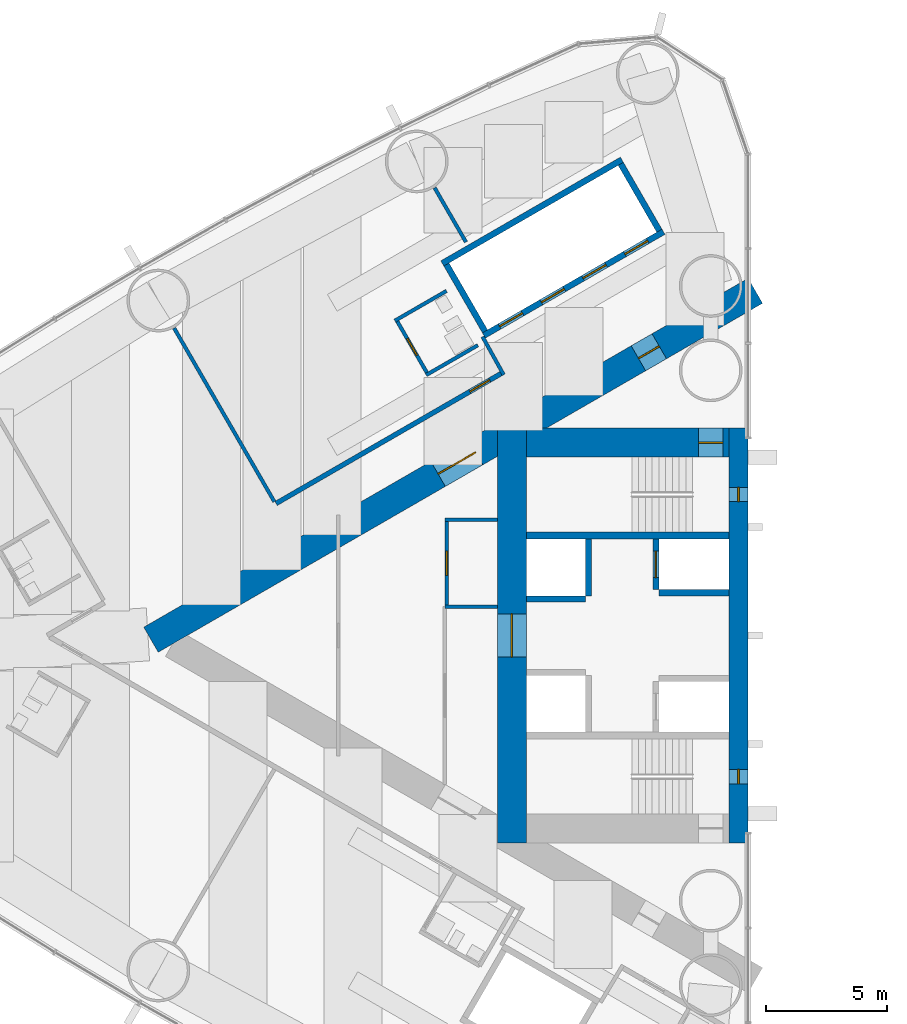
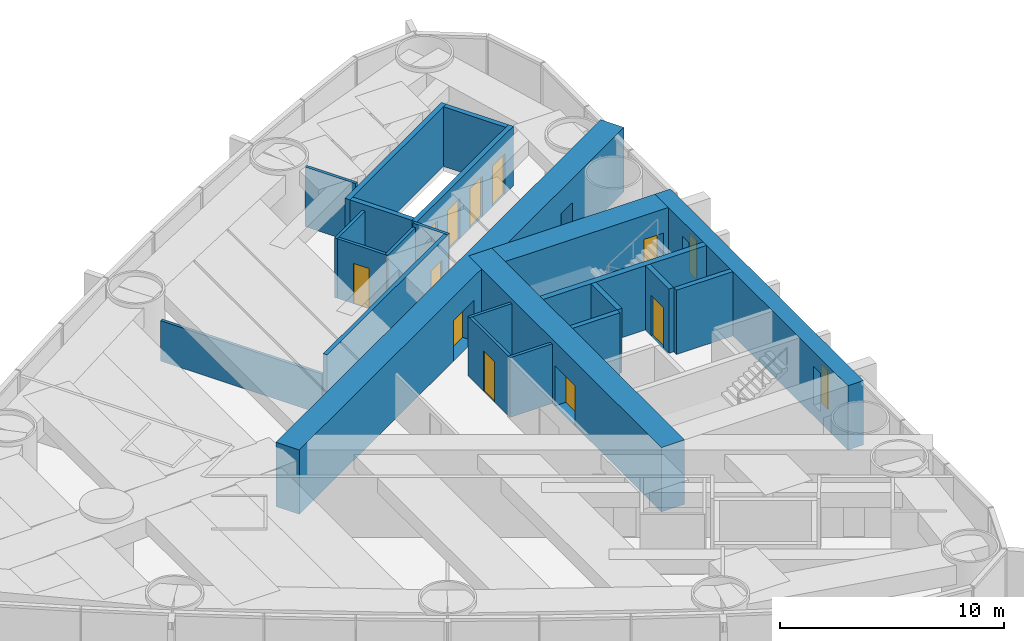
# One storey, part 12 of 18: 23 walls, 12 doors, 2 windows, 14 openings.
"""IFC4 building model written with IfcOpenShell, lengths in metres."""

from ifc_helpers import new_model, si_unit, direction, frame, frame_2d, origin, place, context, subcontext, project, spatial, rectangle, extrude, material, layer, layer_set, type_object, element, fill, save


model = new_model("IFC4")

# Units and contexts
model_context = context("Model", 3, precision=1e-05, world=origin(), true_north=direction((0.0, 1.0)))
body_context = subcontext(model_context, "Body", "Model", "MODEL_VIEW")
ifc_project = project(units=[si_unit("LENGTHUNIT", "METRE"), si_unit("AREAUNIT", "SQUARE_METRE"), si_unit("VOLUMEUNIT", "CUBIC_METRE"), si_unit("PLANEANGLEUNIT", "RADIAN"), si_unit("MASSUNIT", "GRAM", prefix="KILO")], contexts=[model_context])

# Site, building, storey
site_placement = place(None, origin())
site = spatial("IfcSite", under=ifc_project, at=site_placement, CompositionType="ELEMENT")
building_placement = place(site_placement, origin())
building = spatial("IfcBuilding", under=site, at=building_placement, Name="Lancet Gate Hotel", CompositionType="ELEMENT")
storey_placement = place(building_placement, frame((0.0, 0.0, 108.10009765625)))
storey = spatial("IfcBuildingStorey", under=building, at=storey_placement, Name="L28", CompositionType="ELEMENT", Elevation=108.10009765625)

# Wall
ifc_material_1 = material(Name="Moisture resistant board partition")
ifc_layer_1 = layer(ifc_material_1, 0.14990234375)
ifc_layer_set_1 = layer_set([ifc_layer_1], Name="Bathroom wall 150")
wall_type_1 = type_object("IfcWallType", Name="Bathroom wall 150", PredefinedType="PARTITIONING", material=ifc_layer_set_1)
wall_1_placement = place(storey_placement, frame((-40.009765625, 14.294189453125, 0.0), z_axis=(0.0, 0.0, 1.0), x_axis=(-0.866031185235, -0.4999899861, 0.0)))
element("IfcWall", 1, at=wall_1_placement, inside=storey, type_object=wall_type_1, Name="T1 bathroom wall 150 L28", PredefinedType="PARTITIONING", context=body_context, shape_type="SweptSolid", body=[
    extrude(rectangle(XDim=2.47509765625, YDim=0.14990234375, at=frame_2d((1.237548828125, 0.0))), origin(), (0.0, 0.0, 1.0), 3.25),
])

# Wall, opening, door
wall_2_placement = place(storey_placement, frame((-40.788330078125, 10.842529296875, 0.0), z_axis=(0.0, 0.0, 1.0), x_axis=(-0.500006934395, 0.866021400173, 0.0)))
wall_2 = element("IfcWall", 2, at=wall_2_placement, inside=storey, type_object=wall_type_1, Name="T1 bathroom wall 150 L28", PredefinedType="PARTITIONING", context=body_context, shape_type="SweptSolid", body=[
    extrude(rectangle(XDim=2.60009765625, YDim=0.14990234375, at=frame_2d((1.300048828125, 0.0))), origin(), (0.0, 0.0, 1.0), 3.25),
])
opening_1_placement = place(wall_2_placement, frame((0.89990234375, 0.0, 0.0)))
opening_1 = element("IfcOpeningElement", 3, at=opening_1_placement, cuts=wall_2, Name="Opening 2802-B", PredefinedType="OPENING", context=body_context, shape_type="SweptSolid", body=[
    extrude(rectangle(XDim=0.800048828125, YDim=2.199951171875, at=frame_2d((0.39990234375, 1.10009765625))), frame((0.0, 0.0849609375, 0.0), z_axis=(0.0, -1.0, 0.0), x_axis=(1.0, 0.0, 0.0)), (0.0, 0.0, 1.0), 0.169921875),
])
ifc_material_2 = material(Name="Timber door set", Category="wood")
door_type_1 = type_object("IfcDoorType", Name="Bathroom door 800", OperationType="SINGLE_SWING_RIGHT", PredefinedType="DOOR", material=ifc_material_2)
door_1_placement = place(opening_1_placement, origin())
door_1 = element("IfcDoor", 4, at=door_1_placement, inside=storey, type_object=door_type_1, Name="2802-B", OperationType="SINGLE_SWING_RIGHT", OverallHeight=2.199951171875, OverallWidth=0.800048828125, PredefinedType="DOOR", context=body_context, shape_type="SweptSolid", body=[
    extrude(rectangle(XDim=0.800048828125, YDim=2.199951171875, at=frame_2d((0.39990234375, 1.10009765625))), frame((0.0, 0.02490234375, 0.0), z_axis=(0.0, -1.0, 0.0), x_axis=(1.0, 0.0, 0.0)), (0.0, 0.0, 1.0), 0.050048828125),
])
fill(opening_1, door_1)

# Wall
wall_3_placement = place(storey_placement, frame((-38.7099609375, 12.04248046875, 0.0), z_axis=(0.0, 0.0, 1.0), x_axis=(-0.86604923931, -0.499958713387, 0.0)))
element("IfcWall", 5, at=wall_3_placement, inside=storey, type_object=wall_type_1, Name="T1 bathroom wall 150 L28", PredefinedType="PARTITIONING", context=body_context, shape_type="SweptSolid", body=[
    extrude(rectangle(XDim=2.474853515625, YDim=0.14990234375, at=frame_2d((1.2373046875, 0.0))), origin(), (0.0, 0.0, 1.0), 3.25),
])

# Wall, openings, doors
ifc_material_3 = material(Name="Concrete C70/85", Category="concrete")
ifc_layer_2 = layer(ifc_material_3, 1.199951171875)
ifc_layer_set_2 = layer_set([ifc_layer_2], Name="Buttress wall 1200")
wall_type_2 = type_object("IfcWallType", Name="Buttress wall 1200", PredefinedType="SHEAR", material=ifc_layer_set_2)
wall_4_placement = place(storey_placement, frame((-27.199951171875, 14.300048828125, 0.0), z_axis=(0.0, 0.0, 1.0), x_axis=(-0.866026593062, -0.499997940104, 0.0)))
wall_4 = element("IfcWall", 6, at=wall_4_placement, inside=storey, type_object=wall_type_2, Name="T1 buttress wall S L28", PredefinedType="SHEAR", context=body_context, shape_type="SweptSolid", body=[
    extrude(rectangle(XDim=28.9462890625, YDim=1.199951171875, at=frame_2d((14.47314453125, 0.0))), origin(), (0.0, 0.0, 1.0), 3.5),
])
opening_2_placement = place(wall_4_placement, frame((4.60009765625, 0.0, 0.0)))
opening_2 = element("IfcOpeningElement", 7, at=opening_2_placement, cuts=wall_4, Name="Opening T1-L28-LS", PredefinedType="OPENING", context=body_context, shape_type="SweptSolid", body=[
    extrude(rectangle(XDim=1.0, YDim=2.199951171875, at=frame_2d((0.5, 1.10009765625))), frame((0.0, 0.60986328125, 0.0), z_axis=(0.0, -1.0, 0.0), x_axis=(1.0, 0.0, 0.0)), (0.0, 0.0, 1.0), 1.219970703125),
])
opening_3_placement = place(wall_4_placement, frame((13.39453125, 0.0, 0.0)))
opening_3 = element("IfcOpeningElement", 8, at=opening_3_placement, cuts=wall_4, Name="Opening T1-L28-LHS", PredefinedType="OPENING", context=body_context, shape_type="SweptSolid", body=[
    extrude(rectangle(XDim=1.800048828125, YDim=2.199951171875, at=frame_2d((0.89990234375, 1.10009765625))), frame((0.0, 0.60986328125, 0.0), z_axis=(0.0, -1.0, 0.0), x_axis=(1.0, 0.0, 0.0)), (0.0, 0.0, 1.0), 1.219970703125),
])
ifc_material_4 = material(Name="Timber door set", Category="wood")
door_type_2 = type_object("IfcDoorType", Name="Lobby double door 1800", OperationType="DOUBLE_DOOR_SINGLE_SWING", PredefinedType="DOOR", material=ifc_material_4)
door_2_placement = place(opening_3_placement, origin())
door_2 = element("IfcDoor", 9, at=door_2_placement, inside=storey, type_object=door_type_2, Name="T1-L28-LHS", OperationType="DOUBLE_DOOR_SINGLE_SWING", OverallHeight=2.199951171875, OverallWidth=1.800048828125, PredefinedType="DOOR", context=body_context, shape_type="SweptSolid", body=[
    extrude(rectangle(XDim=1.800048828125, YDim=2.199951171875, at=frame_2d((0.89990234375, 1.10009765625))), frame((0.0, 0.02490234375, 0.0), z_axis=(0.0, -1.0, 0.0), x_axis=(1.0, 0.0, 0.0)), (0.0, 0.0, 1.0), 0.050048828125),
])
fill(opening_3, door_2)
ifc_material_5 = material(Name="Timber door set", Category="wood")
door_type_3 = type_object("IfcDoorType", Name="Stair lobby door 1000", OperationType="SINGLE_SWING_LEFT", PredefinedType="DOOR", material=ifc_material_5)
door_3_placement = place(opening_2_placement, origin())
door_3 = element("IfcDoor", 10, at=door_3_placement, inside=storey, type_object=door_type_3, Name="T1-L28-LS", OperationType="SINGLE_SWING_LEFT", OverallHeight=2.199951171875, OverallWidth=1.0, PredefinedType="DOOR", context=body_context, shape_type="SweptSolid", body=[
    extrude(rectangle(XDim=1.0, YDim=2.199951171875, at=frame_2d((0.5, 1.10009765625))), frame((0.0, 0.02490234375, 0.0), z_axis=(0.0, -1.0, 0.0), x_axis=(1.0, 0.0, 0.0)), (0.0, 0.0, 1.0), 0.050048828125),
])
fill(opening_2, door_3)

# Wall, opening, door
ifc_material_6 = material(Name="Concrete C70/85", Category="concrete")
ifc_layer_3 = layer(ifc_material_6, 1.199951171875)
ifc_layer_set_3 = layer_set([ifc_layer_3], Name="Core wall 1200")
wall_type_3 = type_object("IfcWallType", Name="Core wall 1200", PredefinedType="SHEAR", material=ifc_layer_set_3)
wall_5_placement = place(storey_placement, frame((-37.300048828125, 8.60009765625, 0.0), z_axis=(0.0, 0.0, 1.0), x_axis=(0.0, -1.0, 0.0)))
wall_5 = element("IfcWall", 11, at=wall_5_placement, inside=storey, type_object=wall_type_3, Name="T1 core wall back L28", PredefinedType="SHEAR", context=body_context, shape_type="SweptSolid", body=[
    extrude(rectangle(XDim=17.2001953125, YDim=1.199951171875, at=frame_2d((8.60009765625, 0.0))), origin(), (0.0, 0.0, 1.0), 3.5),
])
opening_4_placement = place(wall_5_placement, frame((7.699951171875, 0.0, 0.0)))
opening_4 = element("IfcOpeningElement", 12, at=opening_4_placement, cuts=wall_5, Name="Opening T1-L28-LL", PredefinedType="OPENING", context=body_context, shape_type="SweptSolid", body=[
    extrude(rectangle(XDim=1.800048828125, YDim=2.199951171875, at=frame_2d((0.89990234375, 1.10009765625))), frame((0.0, 0.60986328125, 0.0), z_axis=(0.0, -1.0, 0.0), x_axis=(1.0, 0.0, 0.0)), (0.0, 0.0, 1.0), 1.219970703125),
])
door_4_placement = place(opening_4_placement, origin())
door_4 = element("IfcDoor", 13, at=door_4_placement, inside=storey, type_object=door_type_2, Name="T1-L28-LL", OperationType="DOUBLE_DOOR_SINGLE_SWING", OverallHeight=2.199951171875, OverallWidth=1.800048828125, PredefinedType="DOOR", context=body_context, shape_type="SweptSolid", body=[
    extrude(rectangle(XDim=1.800048828125, YDim=2.199951171875, at=frame_2d((0.89990234375, 1.10009765625))), frame((0.0, 0.02490234375, 0.0), z_axis=(0.0, -1.0, 0.0), x_axis=(1.0, 0.0, 0.0)), (0.0, 0.0, 1.0), 0.050048828125),
])
fill(opening_4, door_4)

wall_6_placement = place(storey_placement, frame((-28.300048828125, 8.0, 0.0), z_axis=(0.0, 0.0, 1.0), x_axis=(-1.0, 0.0, 0.0)))
wall_6 = element("IfcWall", 14, at=wall_6_placement, inside=storey, type_object=wall_type_3, Name="T1 core wall side-S L28", PredefinedType="SHEAR", context=body_context, shape_type="SweptSolid", body=[
    extrude(rectangle(XDim=8.39990234375, YDim=1.199951171875, at=frame_2d((4.199951171875, 0.0))), origin(), (0.0, 0.0, 1.0), 3.5),
])
opening_5_placement = place(wall_6_placement, frame((0.25, 0.0, 0.0)))
opening_5 = element("IfcOpeningElement", 15, at=opening_5_placement, cuts=wall_6, Name="Opening T1-L28-ST1", PredefinedType="OPENING", context=body_context, shape_type="SweptSolid", body=[
    extrude(rectangle(XDim=1.0, YDim=2.199951171875, at=frame_2d((0.5, 1.10009765625))), frame((0.0, 0.60986328125, 0.0), z_axis=(0.0, -1.0, 0.0), x_axis=(1.0, 0.0, 0.0)), (0.0, 0.0, 1.0), 1.219970703125),
])
ifc_material_7 = material(Name="Timber door set", Category="wood")
door_type_4 = type_object("IfcDoorType", Name="Stair door 1000", OperationType="SINGLE_SWING_RIGHT", PredefinedType="DOOR", material=ifc_material_7)
door_5_placement = place(opening_5_placement, origin())
door_5 = element("IfcDoor", 16, at=door_5_placement, inside=storey, type_object=door_type_4, Name="T1-L28-ST1", OperationType="SINGLE_SWING_RIGHT", OverallHeight=2.199951171875, OverallWidth=1.0, PredefinedType="DOOR", context=body_context, shape_type="SweptSolid", body=[
    extrude(rectangle(XDim=1.0, YDim=2.199951171875, at=frame_2d((0.5, 1.10009765625))), frame((0.0, 0.02490234375, 0.0), z_axis=(0.0, -1.0, 0.0), x_axis=(1.0, 0.0, 0.0)), (0.0, 0.0, 1.0), 0.050048828125),
])
fill(opening_5, door_5)

# Wall, openings, windows
ifc_material_8 = material(Name="Concrete C70/85", Category="concrete")
ifc_layer_4 = layer(ifc_material_8, 0.800048828125)
ifc_layer_set_4 = layer_set([ifc_layer_4], Name="Core wall 800")
wall_type_4 = type_object("IfcWallType", Name="Core wall 800", PredefinedType="SHEAR", material=ifc_layer_set_4)
wall_7_placement = place(storey_placement, frame((-27.89990234375, 8.60009765625, 0.0), z_axis=(0.0, 0.0, 1.0), x_axis=(0.0, -1.0, 0.0)))
wall_7 = element("IfcWall", 17, at=wall_7_placement, inside=storey, type_object=wall_type_4, Name="T1 core wall front L28", PredefinedType="SHEAR", context=body_context, shape_type="SweptSolid", body=[
    extrude(rectangle(XDim=17.2001953125, YDim=0.800048828125, at=frame_2d((8.60009765625, 0.0))), origin(), (0.0, 0.0, 1.0), 3.5),
])
opening_6_placement = place(wall_7_placement, frame((2.449951171875, 0.0, 0.60009765625)))
opening_6 = element("IfcOpeningElement", 18, at=opening_6_placement, cuts=wall_7, Name="Opening LW1", PredefinedType="OPENING", context=body_context, shape_type="SweptSolid", body=[
    extrude(rectangle(XDim=0.60009765625, YDim=2.10009765625, at=frame_2d((0.300048828125, 1.050048828125))), frame((0.0, 0.409912109375, 0.0), z_axis=(0.0, -1.0, 0.0), x_axis=(1.0, 0.0, 0.0)), (0.0, 0.0, 1.0), 0.820068359375),
])
opening_7_placement = place(wall_7_placement, frame((14.14990234375, 0.0, 0.60009765625)))
opening_7 = element("IfcOpeningElement", 19, at=opening_7_placement, cuts=wall_7, Name="Opening LW1", PredefinedType="OPENING", context=body_context, shape_type="SweptSolid", body=[
    extrude(rectangle(XDim=0.60009765625, YDim=2.10009765625, at=frame_2d((0.300048828125, 1.050048828125))), frame((0.0, 0.409912109375, 0.0), z_axis=(0.0, -1.0, 0.0), x_axis=(1.0, 0.0, 0.0)), (0.0, 0.0, 1.0), 0.820068359375),
])
ifc_material_9 = material(Name="Fire-resisting glazed steel window", Category="steel")
window_type = type_object("IfcWindowType", Name="Lancet window 600x2100", PartitioningType="SINGLE_PANEL", PredefinedType="WINDOW", material=ifc_material_9)
window_1_placement = place(opening_6_placement, origin())
window_1 = element("IfcWindow", 20, at=window_1_placement, inside=storey, type_object=window_type, Name="T1 stair window S L28", OverallHeight=2.10009765625, OverallWidth=0.60009765625, PartitioningType="SINGLE_PANEL", PredefinedType="WINDOW", context=body_context, shape_type="SweptSolid", body=[
    extrude(rectangle(XDim=0.60009765625, YDim=2.10009765625, at=frame_2d((0.300048828125, 1.050048828125))), frame((0.0, 0.030029296875, 0.0), z_axis=(0.0, -1.0, 0.0), x_axis=(1.0, 0.0, 0.0)), (0.0, 0.0, 1.0), 0.06005859375),
])
fill(opening_6, window_1)
window_2_placement = place(opening_7_placement, origin())
window_2 = element("IfcWindow", 21, at=window_2_placement, inside=storey, type_object=window_type, Name="T1 stair window N L28", OverallHeight=2.10009765625, OverallWidth=0.60009765625, PartitioningType="SINGLE_PANEL", PredefinedType="WINDOW", context=body_context, shape_type="SweptSolid", body=[
    extrude(rectangle(XDim=0.60009765625, YDim=2.10009765625, at=frame_2d((0.300048828125, 1.050048828125))), frame((0.0, 0.030029296875, 0.0), z_axis=(0.0, -1.0, 0.0), x_axis=(1.0, 0.0, 0.0)), (0.0, 0.0, 1.0), 0.06005859375),
])
fill(opening_7, window_2)

# Wall, opening, door
ifc_material_10 = material(Name="Gypsum board partition")
ifc_layer_5 = layer(ifc_material_10, 0.199951171875)
ifc_layer_set_5 = layer_set([ifc_layer_5], Name="Corridor wall 200")
wall_type_5 = type_object("IfcWallType", Name="Corridor wall 200", PredefinedType="PARTITIONING", material=ifc_layer_set_5)
wall_8_placement = place(storey_placement, frame((-37.699951171875, 10.8935546875, 0.0), z_axis=(0.0, 0.0, 1.0), x_axis=(-0.866027551079, -0.499996280759, 0.0)))
wall_8 = element("IfcWall", 22, at=wall_8_placement, inside=storey, type_object=wall_type_5, Name="T1 corridor wall 200 L28", PredefinedType="PARTITIONING", context=body_context, shape_type="SweptSolid", body=[
    extrude(rectangle(XDim=10.83056640625, YDim=0.199951171875, at=frame_2d((5.415283203125, 0.0))), origin(), (0.0, 0.0, 1.0), 3.25),
])
opening_8_placement = place(wall_8_placement, frame((0.60009765625, 0.0, 0.0)))
opening_8 = element("IfcOpeningElement", 23, at=opening_8_placement, cuts=wall_8, Name="Opening 2802-E", PredefinedType="OPENING", context=body_context, shape_type="SweptSolid", body=[
    extrude(rectangle(XDim=0.949951171875, YDim=2.199951171875, at=frame_2d((0.47509765625, 1.10009765625))), frame((0.0, 0.10986328125, 0.0), z_axis=(0.0, -1.0, 0.0), x_axis=(1.0, 0.0, 0.0)), (0.0, 0.0, 1.0), 0.219970703125),
])
ifc_material_11 = material(Name="Timber door set", Category="wood")
door_type_5 = type_object("IfcDoorType", Name="Guest room entry door 950", OperationType="SINGLE_SWING_LEFT", PredefinedType="DOOR", material=ifc_material_11)
door_6_placement = place(opening_8_placement, origin())
door_6 = element("IfcDoor", 24, at=door_6_placement, inside=storey, type_object=door_type_5, Name="2802-E", OperationType="SINGLE_SWING_LEFT", OverallHeight=2.199951171875, OverallWidth=0.949951171875, PredefinedType="DOOR", context=body_context, shape_type="SweptSolid", body=[
    extrude(rectangle(XDim=0.949951171875, YDim=2.199951171875, at=frame_2d((0.47509765625, 1.10009765625))), frame((0.0, 0.02490234375, 0.0), z_axis=(0.0, -1.0, 0.0), x_axis=(1.0, 0.0, 0.0)), (0.0, 0.0, 1.0), 0.050048828125),
])
fill(opening_8, door_6)

# Wall, openings, doors
ifc_material_12 = material(Name="Gypsum board partition")
ifc_layer_6 = layer(ifc_material_12, 0.25)
ifc_layer_set_6 = layer_set([ifc_layer_6], Name="Lift shaft partition 250")
wall_type_6 = type_object("IfcWallType", Name="Lift shaft partition 250", PredefinedType="PARTITIONING", material=ifc_layer_set_6)
wall_9_placement = place(storey_placement, frame((-31.010498046875, 16.747314453125, 0.0), z_axis=(0.0, 0.0, 1.0), x_axis=(-0.866028165386, -0.499995216735, 0.0)))
wall_9 = element("IfcWall", 25, at=wall_9_placement, inside=storey, type_object=wall_type_6, Name="T1 lift shaft wall LR L28", PredefinedType="PARTITIONING", context=body_context, shape_type="SweptSolid", body=[
    extrude(rectangle(XDim=8.60009765625, YDim=0.25, at=frame_2d((4.300048828125, 0.0))), origin(), (0.0, 0.0, 1.0), 3.25),
])
opening_9_placement = place(wall_9_placement, frame((0.75, 0.0, 0.0)))
opening_9 = element("IfcOpeningElement", 26, at=opening_9_placement, cuts=wall_9, Name="Opening T1-LR1-L28", PredefinedType="OPENING", context=body_context, shape_type="SweptSolid", body=[
    extrude(rectangle(XDim=1.10009765625, YDim=2.199951171875, at=frame_2d((0.550048828125, 1.10009765625))), frame((0.0, 0.135009765625, 0.0), z_axis=(0.0, -1.0, 0.0), x_axis=(1.0, 0.0, 0.0)), (0.0, 0.0, 1.0), 0.27001953125),
])
opening_10_placement = place(wall_9_placement, frame((2.75, 0.0, 0.0)))
opening_10 = element("IfcOpeningElement", 27, at=opening_10_placement, cuts=wall_9, Name="Opening T1-LR2-L28", PredefinedType="OPENING", context=body_context, shape_type="SweptSolid", body=[
    extrude(rectangle(XDim=1.10009765625, YDim=2.199951171875, at=frame_2d((0.550048828125, 1.10009765625))), frame((0.0, 0.135009765625, 0.0), z_axis=(0.0, -1.0, 0.0), x_axis=(1.0, 0.0, 0.0)), (0.0, 0.0, 1.0), 0.27001953125),
])
opening_11_placement = place(wall_9_placement, frame((4.75, 0.0, 0.0)))
opening_11 = element("IfcOpeningElement", 28, at=opening_11_placement, cuts=wall_9, Name="Opening T1-LR3-L28", PredefinedType="OPENING", context=body_context, shape_type="SweptSolid", body=[
    extrude(rectangle(XDim=1.10009765625, YDim=2.199951171875, at=frame_2d((0.550048828125, 1.10009765625))), frame((0.0, 0.135009765625, 0.0), z_axis=(0.0, -1.0, 0.0), x_axis=(1.0, 0.0, 0.0)), (0.0, 0.0, 1.0), 0.27001953125),
])
opening_12_placement = place(wall_9_placement, frame((6.75, 0.0, 0.0)))
opening_12 = element("IfcOpeningElement", 29, at=opening_12_placement, cuts=wall_9, Name="Opening T1-LR4-L28", PredefinedType="OPENING", context=body_context, shape_type="SweptSolid", body=[
    extrude(rectangle(XDim=1.10009765625, YDim=2.199951171875, at=frame_2d((0.550048828125, 1.10009765625))), frame((0.0, 0.135009765625, 0.0), z_axis=(0.0, -1.0, 0.0), x_axis=(1.0, 0.0, 0.0)), (0.0, 0.0, 1.0), 0.27001953125),
])
ifc_material_13 = material(Name="Steel door set", Category="steel")
door_type_6 = type_object("IfcDoorType", Name="Lift landing door 1100", OperationType="DOUBLE_DOOR_SLIDING", PredefinedType="USERDEFINED", material=ifc_material_13)
door_7_placement = place(opening_9_placement, origin())
door_7 = element("IfcDoor", 30, at=door_7_placement, inside=storey, type_object=door_type_6, Name="T1-LR1-L28", ObjectType="LIFT LANDING DOOR", OperationType="DOUBLE_DOOR_SLIDING", OverallHeight=2.199951171875, OverallWidth=1.10009765625, PredefinedType="USERDEFINED", context=body_context, shape_type="SweptSolid", body=[
    extrude(rectangle(XDim=1.10009765625, YDim=2.199951171875, at=frame_2d((0.550048828125, 1.10009765625))), frame((0.0, 0.02490234375, 0.0), z_axis=(0.0, -1.0, 0.0), x_axis=(1.0, 0.0, 0.0)), (0.0, 0.0, 1.0), 0.050048828125),
])
fill(opening_9, door_7)
door_8_placement = place(opening_10_placement, origin())
door_8 = element("IfcDoor", 31, at=door_8_placement, inside=storey, type_object=door_type_6, Name="T1-LR2-L28", ObjectType="LIFT LANDING DOOR", OperationType="DOUBLE_DOOR_SLIDING", OverallHeight=2.199951171875, OverallWidth=1.10009765625, PredefinedType="USERDEFINED", context=body_context, shape_type="SweptSolid", body=[
    extrude(rectangle(XDim=1.10009765625, YDim=2.199951171875, at=frame_2d((0.550048828125, 1.10009765625))), frame((0.0, 0.02490234375, 0.0), z_axis=(0.0, -1.0, 0.0), x_axis=(1.0, 0.0, 0.0)), (0.0, 0.0, 1.0), 0.050048828125),
])
fill(opening_10, door_8)
door_9_placement = place(opening_11_placement, origin())
door_9 = element("IfcDoor", 32, at=door_9_placement, inside=storey, type_object=door_type_6, Name="T1-LR3-L28", ObjectType="LIFT LANDING DOOR", OperationType="DOUBLE_DOOR_SLIDING", OverallHeight=2.199951171875, OverallWidth=1.10009765625, PredefinedType="USERDEFINED", context=body_context, shape_type="SweptSolid", body=[
    extrude(rectangle(XDim=1.10009765625, YDim=2.199951171875, at=frame_2d((0.550048828125, 1.10009765625))), frame((0.0, 0.02490234375, 0.0), z_axis=(0.0, -1.0, 0.0), x_axis=(1.0, 0.0, 0.0)), (0.0, 0.0, 1.0), 0.050048828125),
])
fill(opening_11, door_9)
door_10_placement = place(opening_12_placement, origin())
door_10 = element("IfcDoor", 33, at=door_10_placement, inside=storey, type_object=door_type_6, Name="T1-LR4-L28", ObjectType="LIFT LANDING DOOR", OperationType="DOUBLE_DOOR_SLIDING", OverallHeight=2.199951171875, OverallWidth=1.10009765625, PredefinedType="USERDEFINED", context=body_context, shape_type="SweptSolid", body=[
    extrude(rectangle(XDim=1.10009765625, YDim=2.199951171875, at=frame_2d((0.550048828125, 1.10009765625))), frame((0.0, 0.02490234375, 0.0), z_axis=(0.0, -1.0, 0.0), x_axis=(1.0, 0.0, 0.0)), (0.0, 0.0, 1.0), 0.050048828125),
])
fill(opening_12, door_10)

# Walls
wall_10_placement = place(storey_placement, frame((-32.735595703125, 19.73583984375, 0.0), z_axis=(0.0, 0.0, 1.0), x_axis=(-0.866028165386, -0.499995216735, 0.0)))
element("IfcWall", 34, at=wall_10_placement, inside=storey, type_object=wall_type_6, Name="T1 lift shaft wall LR L28", PredefinedType="PARTITIONING", context=body_context, shape_type="SweptSolid", body=[
    extrude(rectangle(XDim=8.60009765625, YDim=0.25, at=frame_2d((4.300048828125, 0.0))), origin(), (0.0, 0.0, 1.0), 3.25),
])
wall_11_placement = place(storey_placement, frame((-31.18115234375, 16.79296875, 0.0), z_axis=(0.0, 0.0, 1.0), x_axis=(-0.499929347863, 0.866066190972, 0.0)))
element("IfcWall", 35, at=wall_11_placement, inside=storey, type_object=wall_type_6, Name="T1 lift shaft wall LR L28", PredefinedType="PARTITIONING", context=body_context, shape_type="SweptSolid", body=[
    extrude(rectangle(XDim=3.20068359375, YDim=0.25, at=frame_2d((1.600341796875, 0.0))), origin(), (0.0, 0.0, 1.0), 3.25),
])
wall_12_placement = place(storey_placement, frame((-38.412841796875, 12.617919921875, 0.0), z_axis=(0.0, 0.0, 1.0), x_axis=(-0.499872130319, 0.866099216793, 0.0)))
element("IfcWall", 36, at=wall_12_placement, inside=storey, type_object=wall_type_6, Name="T1 lift shaft wall LR L28", PredefinedType="PARTITIONING", context=body_context, shape_type="SweptSolid", body=[
    extrude(rectangle(XDim=3.200439453125, YDim=0.25, at=frame_2d((1.60009765625, 0.0))), origin(), (0.0, 0.0, 1.0), 3.25),
])

# Wall, opening, door
ifc_material_14 = material(Name="Concrete C50/60", Category="concrete")
ifc_layer_7 = layer(ifc_material_14, 0.25)
ifc_layer_set_7 = layer_set([ifc_layer_7], Name="Lift shaft wall 250")
wall_type_7 = type_object("IfcWallType", Name="Lift shaft wall 250", PredefinedType="SHEAR", material=ifc_layer_set_7)
wall_13_placement = place(storey_placement, frame((-31.324951171875, 4.0, 0.0), z_axis=(0.0, 0.0, 1.0), x_axis=(0.0, -1.0, 0.0)))
wall_13 = element("IfcWall", 37, at=wall_13_placement, inside=storey, type_object=wall_type_7, Name="T1 core wall row1-S L28", PredefinedType="SHEAR", context=body_context, shape_type="SweptSolid", body=[
    extrude(rectangle(XDim=2.10009765625, YDim=0.25, at=frame_2d((1.050048828125, 0.0))), origin(), (0.0, 0.0, 1.0), 3.5),
])
opening_13_placement = place(wall_13_placement, frame((0.5, 0.0, 0.0)))
opening_13 = element("IfcOpeningElement", 38, at=opening_13_placement, cuts=wall_13, Name="Opening T1-SL1-L28", PredefinedType="OPENING", context=body_context, shape_type="SweptSolid", body=[
    extrude(rectangle(XDim=1.10009765625, YDim=2.199951171875, at=frame_2d((0.550048828125, 1.10009765625))), frame((0.0, 0.135009765625, 0.0), z_axis=(0.0, -1.0, 0.0), x_axis=(1.0, 0.0, 0.0)), (0.0, 0.0, 1.0), 0.27001953125),
])
ifc_material_15 = material(Name="Timber door set", Category="wood")
door_type_7 = type_object("IfcDoorType", Name="Service lift landing door 1100", OperationType="SLIDING_TO_LEFT", PredefinedType="USERDEFINED", material=ifc_material_15)
door_11_placement = place(opening_13_placement, origin())
door_11 = element("IfcDoor", 39, at=door_11_placement, inside=storey, type_object=door_type_7, Name="T1-SL1-L28", ObjectType="LIFT LANDING DOOR", OperationType="SLIDING_TO_LEFT", OverallHeight=2.199951171875, OverallWidth=1.10009765625, PredefinedType="USERDEFINED", context=body_context, shape_type="SweptSolid", body=[
    extrude(rectangle(XDim=1.10009765625, YDim=2.199951171875, at=frame_2d((0.550048828125, 1.10009765625))), frame((0.0, 0.02490234375, 0.0), z_axis=(0.0, -1.0, 0.0), x_axis=(1.0, 0.0, 0.0)), (0.0, 0.0, 1.0), 0.050048828125),
])
fill(opening_13, door_11)

# Walls
wall_14_placement = place(storey_placement, frame((-34.125, 4.0, 0.0), z_axis=(0.0, 0.0, 1.0), x_axis=(0.0, -1.0, 0.0)))
element("IfcWall", 40, at=wall_14_placement, inside=storey, type_object=wall_type_7, Name="T1 core wall row2-S L28", PredefinedType="SHEAR", context=body_context, shape_type="SweptSolid", body=[
    extrude(rectangle(XDim=2.35009765625, YDim=0.25, at=frame_2d((1.175048828125, 0.0))), origin(), (0.0, 0.0, 1.0), 3.5),
])
wall_15_placement = place(storey_placement, frame((-28.300048828125, 1.77490234375, 0.0), z_axis=(0.0, 0.0, 1.0), x_axis=(-1.0, 0.0, 0.0)))
element("IfcWall", 41, at=wall_15_placement, inside=storey, type_object=wall_type_7, Name="T1 core wall pass1-S L28", PredefinedType="SHEAR", context=body_context, shape_type="SweptSolid", body=[
    extrude(rectangle(XDim=2.89990234375, YDim=0.25, at=frame_2d((1.449951171875, 0.0))), origin(), (0.0, 0.0, 1.0), 3.5),
])
wall_16_placement = place(storey_placement, frame((-34.25, 1.52490234375, 0.0), z_axis=(0.0, 0.0, 1.0), x_axis=(-1.0, 0.0, 0.0)))
element("IfcWall", 42, at=wall_16_placement, inside=storey, type_object=wall_type_7, Name="T1 core wall pass2-S L28", PredefinedType="SHEAR", context=body_context, shape_type="SweptSolid", body=[
    extrude(rectangle(XDim=2.449951171875, YDim=0.25, at=frame_2d((1.22509765625, 0.0))), origin(), (0.0, 0.0, 1.0), 3.5),
])
ifc_material_16 = material(Name="Gypsum board partition")
ifc_layer_8 = layer(ifc_material_16, 0.14990234375)
ifc_layer_set_8 = layer_set([ifc_layer_8], Name="Party wall 150")
wall_type_8 = type_object("IfcWallType", Name="Party wall 150", PredefinedType="PARTITIONING", material=ifc_layer_set_8)
wall_17_placement = place(storey_placement, frame((-47.151123046875, 5.552490234375, 0.0), z_axis=(0.0, 0.0, 1.0), x_axis=(-0.500003012045, 0.866023664773, 0.0)))
element("IfcWall", 43, at=wall_17_placement, inside=storey, type_object=wall_type_8, Name="T1 party wall 150 L28", PredefinedType="PARTITIONING", context=body_context, shape_type="SweptSolid", body=[
    extrude(rectangle(XDim=8.31103515625, YDim=0.14990234375, at=frame_2d((4.155517578125, 0.0))), origin(), (0.0, 0.0, 1.0), 2.199951171875),
])
wall_18_placement = place(storey_placement, frame((-39.202392578125, 16.31982421875, 0.0), z_axis=(0.0, 0.0, 1.0), x_axis=(-0.499947391036, 0.866055775454, 0.0)))
element("IfcWall", 44, at=wall_18_placement, inside=storey, type_object=wall_type_8, Name="T1 party wall 150 L28", PredefinedType="PARTITIONING", context=body_context, shape_type="SweptSolid", body=[
    extrude(rectangle(XDim=2.599365234375, YDim=0.14990234375, at=frame_2d((1.2998046875, 0.0))), origin(), (0.0, 0.0, 1.0), 3.25),
])
ifc_material_17 = material(Name="Gypsum board partition")
ifc_layer_9 = layer(ifc_material_17, 0.14990234375)
ifc_layer_set_9 = layer_set([ifc_layer_9], Name="Service room wall 150")
wall_type_9 = type_object("IfcWallType", Name="Service room wall 150", PredefinedType="PARTITIONING", material=ifc_layer_set_9)
wall_19_placement = place(storey_placement, frame((-38.513427734375, 12.392333984375, 0.0), z_axis=(0.0, 0.0, 1.0), x_axis=(0.485585508183, -0.874189175317, 0.0)))
element("IfcWall", 45, at=wall_19_placement, inside=storey, type_object=wall_type_9, Name="T1 service room wall 150 L28", PredefinedType="PARTITIONING", context=body_context, shape_type="SweptSolid", body=[
    extrude(rectangle(XDim=1.804931640625, YDim=0.14990234375, at=frame_2d((0.90234375, 0.0))), origin(), (0.0, 0.0, 1.0), 3.25),
])
for number, where, z_axis, x_axis, name in (
    (46, (-37.89990234375, 1.199951171875, 0.0), (0.0, 0.0, 1.0), (-1.0, 0.0, 0.0), "T1 service room wall 150 L28"),
    (47, (-37.89990234375, 4.800048828125, 0.0), (0.0, 0.0, 1.0), (-1.0, 0.0, 0.0), "T1 service room wall 150 L28"),
):
    element("IfcWall", number, at=place(storey_placement, frame(where, z_axis=z_axis, x_axis=x_axis)), inside=storey, type_object=wall_type_9, Name=name, PredefinedType="PARTITIONING", context=body_context, shape_type="SweptSolid", body=[
        extrude(rectangle(XDim=2.175048828125, YDim=0.14990234375, at=frame_2d((1.08740234375, 0.0))), origin(), (0.0, 0.0, 1.0), 3.25),
    ])

# Wall, opening, door
wall_20_placement = place(storey_placement, frame((-40.0, 4.875, 0.0), z_axis=(0.0, 0.0, 1.0), x_axis=(0.0, -1.0, 0.0)))
wall_20 = element("IfcWall", 48, at=wall_20_placement, inside=storey, type_object=wall_type_9, Name="T1 service room wall 150 L28", PredefinedType="PARTITIONING", context=body_context, shape_type="SweptSolid", body=[
    extrude(rectangle(XDim=3.75, YDim=0.14990234375, at=frame_2d((1.875, 0.0))), origin(), (0.0, 0.0, 1.0), 3.25),
])
opening_14_placement = place(wall_20_placement, frame((1.375, 0.0, 0.0)))
opening_14 = element("IfcOpeningElement", 49, at=opening_14_placement, cuts=wall_20, Name="Opening T1-L28-HRS0", PredefinedType="OPENING", context=body_context, shape_type="SweptSolid", body=[
    extrude(rectangle(XDim=1.0, YDim=2.199951171875, at=frame_2d((0.5, 1.10009765625))), frame((0.0, 0.0849609375, 0.0), z_axis=(0.0, -1.0, 0.0), x_axis=(1.0, 0.0, 0.0)), (0.0, 0.0, 1.0), 0.169921875),
])
ifc_material_18 = material(Name="Timber door set", Category="wood")
door_type_8 = type_object("IfcDoorType", Name="Service door 1000", OperationType="SINGLE_SWING_LEFT", PredefinedType="DOOR", material=ifc_material_18)
door_12_placement = place(opening_14_placement, origin())
door_12 = element("IfcDoor", 50, at=door_12_placement, inside=storey, type_object=door_type_8, Name="T1-L28-HRS0", OperationType="SINGLE_SWING_LEFT", OverallHeight=2.199951171875, OverallWidth=1.0, PredefinedType="DOOR", context=body_context, shape_type="SweptSolid", body=[
    extrude(rectangle(XDim=1.0, YDim=2.199951171875, at=frame_2d((0.5, 1.10009765625))), frame((0.0, 0.02490234375, 0.0), z_axis=(0.0, -1.0, 0.0), x_axis=(1.0, 0.0, 0.0)), (0.0, 0.0, 1.0), 0.050048828125),
])
fill(opening_14, door_12)

# Wall
ifc_material_19 = material(Name="Concrete C50/60", Category="concrete")
ifc_layer_10 = layer(ifc_material_19, 0.300048828125)
ifc_layer_set_10 = layer_set([ifc_layer_10], Name="Stair enclosure wall 300")
wall_type_10 = type_object("IfcWallType", Name="Stair enclosure wall 300", PredefinedType="SHEAR", material=ifc_layer_set_10)
wall_21_placement = place(storey_placement, frame((-28.300048828125, 4.14990234375, 0.0), z_axis=(0.0, 0.0, 1.0), x_axis=(-1.0, 0.0, 0.0)))
element("IfcWall", 51, at=wall_21_placement, inside=storey, type_object=wall_type_10, Name="T1 core wall stair-S L28", PredefinedType="SHEAR", context=body_context, shape_type="SweptSolid", body=[
    extrude(rectangle(XDim=8.39990234375, YDim=0.300048828125, at=frame_2d((4.199951171875, 0.0))), origin(), (0.0, 0.0, 1.0), 3.5),
])

save(model, "model.ifc")
